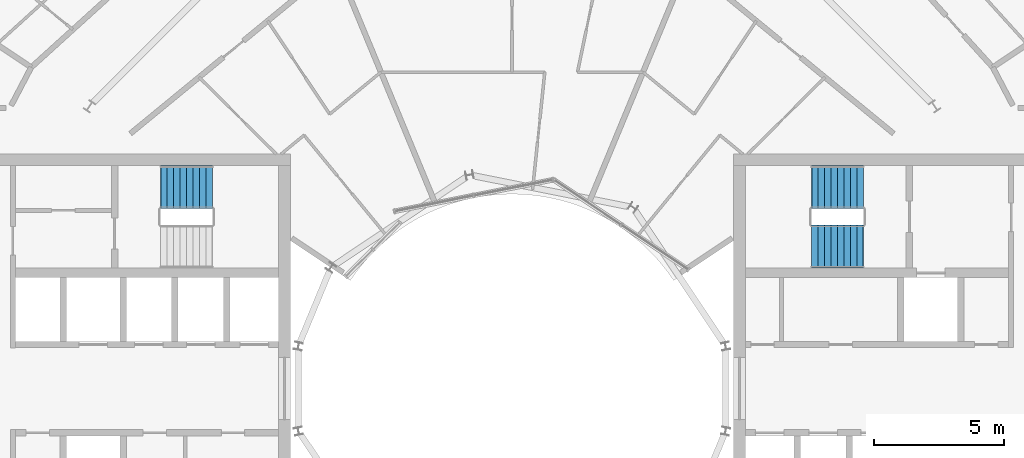
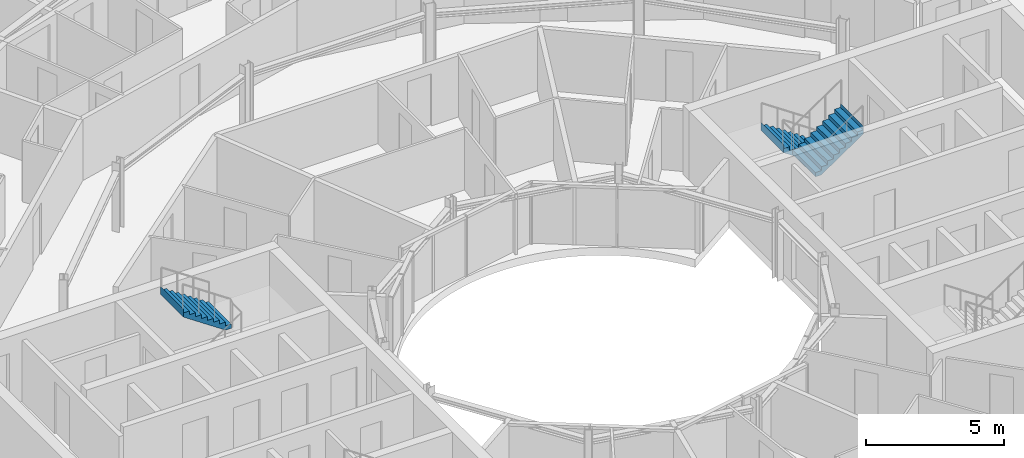
# One storey, part 27 of 29: 3 stair flights, 2 elements without a shape of their own.
"""IFC4 building model written with IfcOpenShell, lengths in metres."""

import ifcopenshell
import ifcopenshell.guid

model = None  # the IFC model being written
_history = None  # IfcOwnerHistory: only IFC2X3 demands one
_inside = {}  # id of a spatial element -> (the spatial element, [elements in it])
_under = {}  # id of a project, library or spatial element -> (it, [spatial elements below it])
_declared = {}  # id of a project -> (the project, [libraries it declares])
_typed = {}  # id of a type object -> (the type object, [elements of that type])
_made_of = {}  # id of a material, layer set ... -> (it, [elements and type objects made of it])


def new_model(schema):
    """Start an empty IFC model of exactly this schema.

    Asked for "IFC4X3", IfcOpenShell would pick the latest addendum, in which some entities
    have other attributes; the version numbers below select the first issue.
    IFC2X3 requires an IfcOwnerHistory on every rooted entity: one is made here for all.
    """
    global model, _history
    if schema == "IFC4X3":
        model = ifcopenshell.file(schema_version=(4, 3, 0, 0))
    else:
        model = ifcopenshell.file(schema=schema)
    _inside.clear()
    _under.clear()
    _declared.clear()
    _typed.clear()
    _made_of.clear()
    _history = None
    if model.schema == "IFC2X3":
        org = make("IfcOrganization", Name="unknown")
        user = make(
            "IfcPersonAndOrganization",
            ThePerson=make("IfcPerson", FamilyName="unknown"),
            TheOrganization=org,
        )
        app = make(
            "IfcApplication",
            ApplicationDeveloper=org,
            Version="unknown",
            ApplicationFullName="unknown",
            ApplicationIdentifier="unknown",
        )
        _history = make(
            "IfcOwnerHistory",
            OwningUser=user,
            OwningApplication=app,
            ChangeAction="ADDED",
            CreationDate=0,
        )
    return model


def make(cls, **values):
    """One entity of the class cls with the attributes given. An attribute that is None is left unset."""
    return model.create_entity(
        cls, **{name: value for name, value in values.items() if value is not None}
    )


def rooted(cls, **values):
    """An entity with a GlobalId (a new one), such as an element, a storey or a relation."""
    return make(cls, GlobalId=ifcopenshell.guid.new(), OwnerHistory=_history, **values)


def si_unit(unit_type, name, prefix=None):
    """IfcSIUnit, for example si_unit("LENGTHUNIT", "METRE", prefix="MILLI")."""
    return make("IfcSIUnit", UnitType=unit_type, Prefix=prefix, Name=name)


def assignment(units):
    """IfcUnitAssignment: the units of a project."""
    return None if units is None else make("IfcUnitAssignment", Units=units)


def point(xyz):
    """IfcCartesianPoint."""
    return None if xyz is None else make("IfcCartesianPoint", Coordinates=xyz)


def direction(xyz):
    """IfcDirection."""
    return None if xyz is None else make("IfcDirection", DirectionRatios=xyz)


def frame(location, z_axis=None, x_axis=None):
    """IfcAxis2Placement3D, a coordinate frame: its origin and axes. An axis left out is left unset."""
    return make(
        "IfcAxis2Placement3D",
        Location=point(location),
        Axis=direction(z_axis),
        RefDirection=direction(x_axis),
    )


def origin():
    """The frame at (0, 0, 0) with its axes left unset."""
    return frame((0.0, 0.0, 0.0))


def place(relative_to, where):
    """IfcLocalPlacement: puts the frame where relative to a parent placement (None: the world)."""
    return make(
        "IfcLocalPlacement", PlacementRelTo=relative_to, RelativePlacement=where
    )


def context(
    kind, dimensions, precision=None, world=None, true_north=None, identifier=None
):
    """IfcGeometricRepresentationContext, for example the 3D "Model" context."""
    return make(
        "IfcGeometricRepresentationContext",
        ContextIdentifier=identifier,
        ContextType=kind,
        CoordinateSpaceDimension=dimensions,
        Precision=precision,
        WorldCoordinateSystem=world,
        TrueNorth=true_north,
    )


def subcontext(parent, identifier, kind, view, scale=None):
    """IfcGeometricRepresentationSubContext, for example "Body" below "Model"."""
    return make(
        "IfcGeometricRepresentationSubContext",
        ContextIdentifier=identifier,
        ContextType=kind,
        ParentContext=parent,
        TargetScale=scale,
        TargetView=view,
    )


def project(units=None, contexts=None):
    """IfcProject with its units and contexts."""
    return rooted(
        "IfcProject",
        Name="project",
        RepresentationContexts=contexts,
        UnitsInContext=assignment(units),
    )


def spatial(cls, under=None, at=None, **own):
    """A site, building, storey or space (cls), placed at a placement, below another one or the project."""
    s = rooted(cls, ObjectPlacement=at, **own)
    if under is not None:
        _under.setdefault(under.id(), (under, []))[1].append(s)
    return s


def point_list(points):
    """IfcCartesianPointList2D or 3D."""
    cls = (
        "IfcCartesianPointList2D" if len(points[0]) == 2 else "IfcCartesianPointList3D"
    )
    return make(cls, CoordList=points)


def triangles(points, corners, closed=None, point_numbers=None):
    """IfcTriangulatedFaceSet: each triangle names its three corners, points numbered from 1."""
    return make(
        "IfcTriangulatedFaceSet",
        Coordinates=point_list(points),
        Closed=closed,
        CoordIndex=corners,
        PnIndex=point_numbers,
    )


def shape(context_of_items, identifier, shape_type, items):
    """IfcShapeRepresentation: the items that make up one representation, for example the "Body"."""
    return make(
        "IfcShapeRepresentation",
        ContextOfItems=context_of_items,
        RepresentationIdentifier=identifier,
        RepresentationType=shape_type,
        Items=items,
    )


def material(Name=None, Category=None):
    """IfcMaterial."""
    return make("IfcMaterial", Name=Name, Category=Category)


def made_of(thing, what):
    """Note that an element or type object is made of a material, layer set ...; save() writes the relation."""
    if what is not None:
        _made_of.setdefault(what.id(), (what, []))[1].append(thing)
    return thing


def type_object(cls, material=None, **own):
    """A type object (cls), such as IfcWallType, which elements share."""
    return made_of(rooted(cls, **own), material)


def element(
    cls,
    number,
    at=None,
    inside=None,
    cuts=None,
    type_object=None,
    material=None,
    context=None,
    identifier="Body",
    shape_type=None,
    held_by="IfcProductDefinitionShape",
    body=None,
    shapes=None,
    **own,
):
    """One element of the class cls, such as IfcWall. Its Tag is "e" and its number.

    at: its placement. inside: the storey or other place that contains it. cuts: it is an
    opening in that element (IfcRelVoidsElement). A single representation is given by context,
    identifier, shape_type and body (its items); several are given by shapes. held_by: the class
    of the entity that holds the representations. save() writes the other relations.
    """
    e = rooted(cls, Tag="e%d" % number, ObjectPlacement=at, **own)
    if body is not None:
        shapes = [shape(context, identifier, shape_type, body)]
    if shapes is not None:
        e.Representation = make(held_by, Representations=shapes)
    if inside is not None:
        _inside.setdefault(inside.id(), (inside, []))[1].append(e)
    if cuts is not None:
        rooted(
            "IfcRelVoidsElement", RelatingBuildingElement=cuts, RelatedOpeningElement=e
        )
    if type_object is not None:
        _typed.setdefault(type_object.id(), (type_object, []))[1].append(e)
    return made_of(e, material)


def aggregate(whole, parts):
    """IfcRelAggregates: a whole, such as a stair, and the parts it consists of."""
    return rooted("IfcRelAggregates", RelatingObject=whole, RelatedObjects=parts)


def save(model, path):
    """Write the relations noted so far, then the file.

    IfcRelAggregates (storeys below a building ...), IfcRelContainedInSpatialStructure (elements
    in a storey), IfcRelDefinesByType, IfcRelAssociatesMaterial and IfcRelDeclares: one each for
    every whole, place, type object, material and project.
    """
    for whole, parts in _under.values():
        aggregate(whole, parts)
    for where, things in _inside.values():
        rooted(
            "IfcRelContainedInSpatialStructure",
            RelatedElements=things,
            RelatingStructure=where,
        )
    for kind, things in _typed.values():
        rooted("IfcRelDefinesByType", RelatedObjects=things, RelatingType=kind)
    for what, things in _made_of.values():
        rooted("IfcRelAssociatesMaterial", RelatedObjects=things, RelatingMaterial=what)
    for by, libraries in _declared.values():
        rooted("IfcRelDeclares", RelatingContext=by, RelatedDefinitions=libraries)
    model.write(path)


model = new_model("IFC4")

# Units and contexts
model_context = context("Model", 3, precision=1e-05, world=origin(), true_north=direction((0.0, 1.0)))
body_context = subcontext(model_context, "Body", "Model", "MODEL_VIEW")
ifc_project = project(units=[si_unit("LENGTHUNIT", "METRE"), si_unit("AREAUNIT", "SQUARE_METRE"), si_unit("VOLUMEUNIT", "CUBIC_METRE"), si_unit("PLANEANGLEUNIT", "RADIAN"), si_unit("MASSUNIT", "GRAM", prefix="KILO")], contexts=[model_context])

# Site, building, storey
site_placement = place(None, origin())
site = spatial("IfcSite", under=ifc_project, at=site_placement, CompositionType="ELEMENT")
building_placement = place(site_placement, origin())
building = spatial("IfcBuilding", under=site, at=building_placement, Name="Maasbend Ring Residences", CompositionType="ELEMENT")
storey_placement = place(building_placement, frame((0.0, 0.0, 215.75)))
storey = spatial("IfcBuildingStorey", under=building, at=storey_placement, Name="L62", CompositionType="ELEMENT", Elevation=215.75)

# Stair, stair flights
ifc_material_1 = material(Name="Concrete C40/50", Category="concrete")
stair_type = type_object("IfcStairType", Name="CORE STAIR 18 RISERS", PredefinedType="HALF_TURN_STAIR", material=ifc_material_1)
stair_1_placement = place(storey_placement, origin())
stair_1 = element("IfcStair", 1, at=stair_1_placement, inside=storey, type_object=stair_type, Name="L62 Exit stair ST-E1", PredefinedType="HALF_TURN_STAIR")
ifc_material_2 = material(Name="Concrete C40/50", Category="concrete")
stair_flight_type = type_object("IfcStairFlightType", Name="CORE STAIR FLIGHT 1650", PredefinedType="STRAIGHT", material=ifc_material_2)
stair_flight_1_placement = place(storey_placement, frame((13.550048828125, 7.77490234375, 0.0), z_axis=(0.0, 0.0, 1.0), x_axis=(-1.0, 0.0, 0.0)))
stair_flight_1 = element("IfcStairFlight", 2, at=stair_flight_1_placement, type_object=stair_flight_type, Name="ST-E1 flight 1", NumberOfRisers=9, NumberOfTreads=8, PredefinedType="STRAIGHT", RiserHeight=0.169444444, TreadLength=0.25, context=body_context, shape_type="Tessellation", body=[
    triangles([(0.24072265625, 0.824951171875, -0.02001953125), (2.0029296875, 0.824951171875, 1.174560546875), (2.0029296875, 0.824951171875, 1.52490234375), (1.989990234375, 0.824951171875, 1.35546875), (1.75, 0.824951171875, 1.35546875), (1.75, 0.824951171875, 1.18603515625), (1.5, 0.824951171875, 1.18603515625), (1.5, 0.824951171875, 1.0166015625), (1.25, 0.824951171875, 1.0166015625), (1.25, 0.824951171875, 0.84716796875), (1.0, 0.824951171875, 0.84716796875), (1.0, 0.824951171875, 0.677734375), (0.75, 0.824951171875, 0.677734375), (0.75, 0.824951171875, 0.50830078125), (0.5, 0.824951171875, 0.50830078125), (0.5, 0.824951171875, 0.3388671875), (0.25, 0.824951171875, 0.3388671875), (0.25, 0.824951171875, 0.16943359375), (0.0, 0.824951171875, 0.16943359375), (0.0, 0.824951171875, 0.0), (-0.0029296875, 0.824951171875, 0.0), (-0.0029296875, 0.824951171875, -0.02001953125), (0.24072265625, 0.27490234375, -0.02001953125), (2.0029296875, 0.27490234375, 1.174560546875), (2.0029296875, 0.27490234375, 1.52490234375), (1.989990234375, 0.27490234375, 1.35546875), (1.75, 0.27490234375, 1.35546875), (1.75, 0.27490234375, 1.18603515625), (1.5, 0.27490234375, 1.18603515625), (1.5, 0.27490234375, 1.0166015625), (1.25, 0.27490234375, 1.0166015625), (1.25, 0.27490234375, 0.84716796875), (1.0, 0.27490234375, 0.84716796875), (1.0, 0.27490234375, 0.677734375), (0.75, 0.27490234375, 0.677734375), (0.75, 0.27490234375, 0.50830078125), (0.5, 0.27490234375, 0.50830078125), (0.5, 0.27490234375, 0.3388671875), (0.25, 0.27490234375, 0.3388671875), (0.25, 0.27490234375, 0.16943359375), (0.0, 0.27490234375, 0.16943359375), (0.0, 0.27490234375, 0.0), (-0.0029296875, 0.27490234375, 0.0), (-0.0029296875, 0.27490234375, -0.02001953125), (0.24072265625, -0.27490234375, -0.02001953125), (2.0029296875, -0.27490234375, 1.174560546875), (2.0029296875, -0.27490234375, 1.52490234375), (1.989990234375, -0.27490234375, 1.35546875), (1.75, -0.27490234375, 1.35546875), (1.75, -0.27490234375, 1.18603515625), (1.5, -0.27490234375, 1.18603515625), (1.5, -0.27490234375, 1.0166015625), (1.25, -0.27490234375, 1.0166015625), (1.25, -0.27490234375, 0.84716796875), (1.0, -0.27490234375, 0.84716796875), (1.0, -0.27490234375, 0.677734375), (0.75, -0.27490234375, 0.677734375), (0.75, -0.27490234375, 0.50830078125), (0.5, -0.27490234375, 0.50830078125), (0.5, -0.27490234375, 0.3388671875), (0.25, -0.27490234375, 0.3388671875), (0.25, -0.27490234375, 0.16943359375), (0.0, -0.27490234375, 0.16943359375), (0.0, -0.27490234375, 0.0), (-0.0029296875, -0.27490234375, 0.0), (-0.0029296875, -0.27490234375, -0.02001953125), (0.24072265625, -0.824951171875, -0.02001953125), (2.0029296875, -0.824951171875, 1.174560546875), (2.0029296875, -0.824951171875, 1.52490234375), (1.989990234375, -0.824951171875, 1.35546875), (1.75, -0.824951171875, 1.35546875), (1.75, -0.824951171875, 1.18603515625), (1.5, -0.824951171875, 1.18603515625), (1.5, -0.824951171875, 1.0166015625), (1.25, -0.824951171875, 1.0166015625), (1.25, -0.824951171875, 0.84716796875), (1.0, -0.824951171875, 0.84716796875), (1.0, -0.824951171875, 0.677734375), (0.75, -0.824951171875, 0.677734375), (0.75, -0.824951171875, 0.50830078125), (0.5, -0.824951171875, 0.50830078125), (0.5, -0.824951171875, 0.3388671875), (0.25, -0.824951171875, 0.3388671875), (0.25, -0.824951171875, 0.16943359375), (0.0, -0.824951171875, 0.16943359375), (0.0, -0.824951171875, 0.0), (-0.0029296875, -0.824951171875, 0.0), (-0.0029296875, -0.824951171875, -0.02001953125)], [[1, 2, 24], [1, 24, 23], [23, 24, 46], [23, 46, 45], [45, 46, 68], [45, 68, 67], [2, 3, 25], [2, 25, 24], [24, 25, 47], [24, 47, 46], [46, 47, 69], [46, 69, 68], [3, 4, 26], [3, 26, 25], [25, 26, 48], [25, 48, 47], [47, 48, 70], [47, 70, 69], [4, 5, 27], [4, 27, 26], [26, 27, 49], [26, 49, 48], [48, 49, 71], [48, 71, 70], [5, 6, 28], [5, 28, 27], [27, 28, 50], [27, 50, 49], [49, 50, 72], [49, 72, 71], [6, 7, 29], [6, 29, 28], [28, 29, 51], [28, 51, 50], [50, 51, 73], [50, 73, 72], [7, 8, 30], [7, 30, 29], [29, 30, 52], [29, 52, 51], [51, 52, 74], [51, 74, 73], [8, 9, 31], [8, 31, 30], [30, 31, 53], [30, 53, 52], [52, 53, 75], [52, 75, 74], [9, 10, 32], [9, 32, 31], [31, 32, 54], [31, 54, 53], [53, 54, 76], [53, 76, 75], [10, 11, 33], [10, 33, 32], [32, 33, 55], [32, 55, 54], [54, 55, 77], [54, 77, 76], [11, 12, 34], [11, 34, 33], [33, 34, 56], [33, 56, 55], [55, 56, 78], [55, 78, 77], [12, 13, 35], [12, 35, 34], [34, 35, 57], [34, 57, 56], [56, 57, 79], [56, 79, 78], [13, 14, 36], [13, 36, 35], [35, 36, 58], [35, 58, 57], [57, 58, 80], [57, 80, 79], [14, 15, 37], [14, 37, 36], [36, 37, 59], [36, 59, 58], [58, 59, 81], [58, 81, 80], [15, 16, 38], [15, 38, 37], [37, 38, 60], [37, 60, 59], [59, 60, 82], [59, 82, 81], [16, 17, 39], [16, 39, 38], [38, 39, 61], [38, 61, 60], [60, 61, 83], [60, 83, 82], [17, 18, 40], [17, 40, 39], [39, 40, 62], [39, 62, 61], [61, 62, 84], [61, 84, 83], [18, 19, 41], [18, 41, 40], [40, 41, 63], [40, 63, 62], [62, 63, 85], [62, 85, 84], [19, 20, 42], [19, 42, 41], [41, 42, 64], [41, 64, 63], [63, 64, 86], [63, 86, 85], [20, 21, 43], [20, 43, 42], [42, 43, 65], [42, 65, 64], [64, 65, 87], [64, 87, 86], [21, 22, 44], [21, 44, 43], [43, 44, 66], [43, 66, 65], [65, 66, 88], [65, 88, 87], [22, 1, 23], [22, 23, 44], [44, 23, 45], [44, 45, 66], [66, 45, 67], [66, 67, 88], [22, 2, 1], [2, 4, 3], [2, 5, 4], [2, 6, 5], [22, 6, 2], [6, 8, 7], [22, 8, 6], [8, 10, 9], [22, 10, 8], [10, 12, 11], [22, 12, 10], [12, 14, 13], [22, 14, 12], [14, 16, 15], [22, 16, 14], [16, 18, 17], [22, 18, 16], [18, 20, 19], [22, 20, 18], [20, 22, 21], [88, 67, 68], [68, 69, 70], [68, 70, 71], [68, 71, 72], [88, 68, 72], [72, 73, 74], [88, 72, 74], [74, 75, 76], [88, 74, 76], [76, 77, 78], [88, 76, 78], [78, 79, 80], [88, 78, 80], [80, 81, 82], [88, 80, 82], [82, 83, 84], [88, 82, 84], [84, 85, 86], [88, 84, 86], [86, 87, 88]], closed=True),
])
stair_flight_2_placement = place(storey_placement, frame((11.550048828125, 5.47509765625, 1.52490234375), z_axis=(0.0, 0.0, 1.0), x_axis=(1.0, 0.0, 0.0)))
stair_flight_2 = element("IfcStairFlight", 3, at=stair_flight_2_placement, type_object=stair_flight_type, Name="ST-E1 flight 2", NumberOfRisers=9, NumberOfTreads=8, PredefinedType="STRAIGHT", RiserHeight=0.169444444, TreadLength=0.25, context=body_context, shape_type="Tessellation", body=[
    triangles([(0.24072265625, 0.824951171875, -0.02001953125), (2.0029296875, 0.824951171875, 1.174560546875), (2.0029296875, 0.824951171875, 1.52490234375), (1.989990234375, 0.824951171875, 1.35546875), (1.75, 0.824951171875, 1.35546875), (1.75, 0.824951171875, 1.18603515625), (1.5, 0.824951171875, 1.18603515625), (1.5, 0.824951171875, 1.0166015625), (1.25, 0.824951171875, 1.0166015625), (1.25, 0.824951171875, 0.84716796875), (1.0, 0.824951171875, 0.84716796875), (1.0, 0.824951171875, 0.677734375), (0.75, 0.824951171875, 0.677734375), (0.75, 0.824951171875, 0.50830078125), (0.5, 0.824951171875, 0.50830078125), (0.5, 0.824951171875, 0.3388671875), (0.25, 0.824951171875, 0.3388671875), (0.25, 0.824951171875, 0.16943359375), (0.0, 0.824951171875, 0.16943359375), (0.0, 0.824951171875, 0.0), (-0.0029296875, 0.824951171875, 0.0), (-0.0029296875, 0.824951171875, -0.02001953125), (0.24072265625, 0.27490234375, -0.02001953125), (2.0029296875, 0.27490234375, 1.174560546875), (2.0029296875, 0.27490234375, 1.52490234375), (1.989990234375, 0.27490234375, 1.35546875), (1.75, 0.27490234375, 1.35546875), (1.75, 0.27490234375, 1.18603515625), (1.5, 0.27490234375, 1.18603515625), (1.5, 0.27490234375, 1.0166015625), (1.25, 0.27490234375, 1.0166015625), (1.25, 0.27490234375, 0.84716796875), (1.0, 0.27490234375, 0.84716796875), (1.0, 0.27490234375, 0.677734375), (0.75, 0.27490234375, 0.677734375), (0.75, 0.27490234375, 0.50830078125), (0.5, 0.27490234375, 0.50830078125), (0.5, 0.27490234375, 0.3388671875), (0.25, 0.27490234375, 0.3388671875), (0.25, 0.27490234375, 0.16943359375), (0.0, 0.27490234375, 0.16943359375), (0.0, 0.27490234375, 0.0), (-0.0029296875, 0.27490234375, 0.0), (-0.0029296875, 0.27490234375, -0.02001953125), (0.24072265625, -0.27490234375, -0.02001953125), (2.0029296875, -0.27490234375, 1.174560546875), (2.0029296875, -0.27490234375, 1.52490234375), (1.989990234375, -0.27490234375, 1.35546875), (1.75, -0.27490234375, 1.35546875), (1.75, -0.27490234375, 1.18603515625), (1.5, -0.27490234375, 1.18603515625), (1.5, -0.27490234375, 1.0166015625), (1.25, -0.27490234375, 1.0166015625), (1.25, -0.27490234375, 0.84716796875), (1.0, -0.27490234375, 0.84716796875), (1.0, -0.27490234375, 0.677734375), (0.75, -0.27490234375, 0.677734375), (0.75, -0.27490234375, 0.50830078125), (0.5, -0.27490234375, 0.50830078125), (0.5, -0.27490234375, 0.3388671875), (0.25, -0.27490234375, 0.3388671875), (0.25, -0.27490234375, 0.16943359375), (0.0, -0.27490234375, 0.16943359375), (0.0, -0.27490234375, 0.0), (-0.0029296875, -0.27490234375, 0.0), (-0.0029296875, -0.27490234375, -0.02001953125), (0.24072265625, -0.824951171875, -0.02001953125), (2.0029296875, -0.824951171875, 1.174560546875), (2.0029296875, -0.824951171875, 1.52490234375), (1.989990234375, -0.824951171875, 1.35546875), (1.75, -0.824951171875, 1.35546875), (1.75, -0.824951171875, 1.18603515625), (1.5, -0.824951171875, 1.18603515625), (1.5, -0.824951171875, 1.0166015625), (1.25, -0.824951171875, 1.0166015625), (1.25, -0.824951171875, 0.84716796875), (1.0, -0.824951171875, 0.84716796875), (1.0, -0.824951171875, 0.677734375), (0.75, -0.824951171875, 0.677734375), (0.75, -0.824951171875, 0.50830078125), (0.5, -0.824951171875, 0.50830078125), (0.5, -0.824951171875, 0.3388671875), (0.25, -0.824951171875, 0.3388671875), (0.25, -0.824951171875, 0.16943359375), (0.0, -0.824951171875, 0.16943359375), (0.0, -0.824951171875, 0.0), (-0.0029296875, -0.824951171875, 0.0), (-0.0029296875, -0.824951171875, -0.02001953125)], [[1, 2, 24], [1, 24, 23], [23, 24, 46], [23, 46, 45], [45, 46, 68], [45, 68, 67], [2, 3, 25], [2, 25, 24], [24, 25, 47], [24, 47, 46], [46, 47, 69], [46, 69, 68], [3, 4, 26], [3, 26, 25], [25, 26, 48], [25, 48, 47], [47, 48, 70], [47, 70, 69], [4, 5, 27], [4, 27, 26], [26, 27, 49], [26, 49, 48], [48, 49, 71], [48, 71, 70], [5, 6, 28], [5, 28, 27], [27, 28, 50], [27, 50, 49], [49, 50, 72], [49, 72, 71], [6, 7, 29], [6, 29, 28], [28, 29, 51], [28, 51, 50], [50, 51, 73], [50, 73, 72], [7, 8, 30], [7, 30, 29], [29, 30, 52], [29, 52, 51], [51, 52, 74], [51, 74, 73], [8, 9, 31], [8, 31, 30], [30, 31, 53], [30, 53, 52], [52, 53, 75], [52, 75, 74], [9, 10, 32], [9, 32, 31], [31, 32, 54], [31, 54, 53], [53, 54, 76], [53, 76, 75], [10, 11, 33], [10, 33, 32], [32, 33, 55], [32, 55, 54], [54, 55, 77], [54, 77, 76], [11, 12, 34], [11, 34, 33], [33, 34, 56], [33, 56, 55], [55, 56, 78], [55, 78, 77], [12, 13, 35], [12, 35, 34], [34, 35, 57], [34, 57, 56], [56, 57, 79], [56, 79, 78], [13, 14, 36], [13, 36, 35], [35, 36, 58], [35, 58, 57], [57, 58, 80], [57, 80, 79], [14, 15, 37], [14, 37, 36], [36, 37, 59], [36, 59, 58], [58, 59, 81], [58, 81, 80], [15, 16, 38], [15, 38, 37], [37, 38, 60], [37, 60, 59], [59, 60, 82], [59, 82, 81], [16, 17, 39], [16, 39, 38], [38, 39, 61], [38, 61, 60], [60, 61, 83], [60, 83, 82], [17, 18, 40], [17, 40, 39], [39, 40, 62], [39, 62, 61], [61, 62, 84], [61, 84, 83], [18, 19, 41], [18, 41, 40], [40, 41, 63], [40, 63, 62], [62, 63, 85], [62, 85, 84], [19, 20, 42], [19, 42, 41], [41, 42, 64], [41, 64, 63], [63, 64, 86], [63, 86, 85], [20, 21, 43], [20, 43, 42], [42, 43, 65], [42, 65, 64], [64, 65, 87], [64, 87, 86], [21, 22, 44], [21, 44, 43], [43, 44, 66], [43, 66, 65], [65, 66, 88], [65, 88, 87], [22, 1, 23], [22, 23, 44], [44, 23, 45], [44, 45, 66], [66, 45, 67], [66, 67, 88], [22, 2, 1], [2, 4, 3], [2, 5, 4], [2, 6, 5], [22, 6, 2], [6, 8, 7], [22, 8, 6], [8, 10, 9], [22, 10, 8], [10, 12, 11], [22, 12, 10], [12, 14, 13], [22, 14, 12], [14, 16, 15], [22, 16, 14], [16, 18, 17], [22, 18, 16], [18, 20, 19], [22, 20, 18], [20, 22, 21], [88, 67, 68], [68, 69, 70], [68, 70, 71], [68, 71, 72], [88, 68, 72], [72, 73, 74], [88, 72, 74], [74, 75, 76], [88, 74, 76], [76, 77, 78], [88, 76, 78], [78, 79, 80], [88, 78, 80], [80, 81, 82], [88, 80, 82], [82, 83, 84], [88, 82, 84], [84, 85, 86], [88, 84, 86], [86, 87, 88]], closed=True),
])
aggregate(stair_1, [stair_flight_1, stair_flight_2])

# Stair, stair flight
stair_2_placement = place(storey_placement, origin())
stair_2 = element("IfcStair", 4, at=stair_2_placement, inside=storey, type_object=stair_type, Name="L62 Exit stair ST-W2", PredefinedType="HALF_TURN_STAIR")
stair_flight_3_placement = place(storey_placement, frame((-11.550048828125, 7.77490234375, 1.52490234375), z_axis=(0.0, 0.0, 1.0), x_axis=(-1.0, 0.0, 0.0)))
stair_flight_3 = element("IfcStairFlight", 5, at=stair_flight_3_placement, type_object=stair_flight_type, Name="ST-W2 flight 2", NumberOfRisers=9, NumberOfTreads=8, PredefinedType="STRAIGHT", RiserHeight=0.169444444, TreadLength=0.25, context=body_context, shape_type="Tessellation", body=[
    triangles([(0.24072265625, 0.824951171875, -0.02001953125), (2.0029296875, 0.824951171875, 1.174560546875), (2.0029296875, 0.824951171875, 1.52490234375), (1.989990234375, 0.824951171875, 1.35546875), (1.75, 0.824951171875, 1.35546875), (1.75, 0.824951171875, 1.18603515625), (1.5, 0.824951171875, 1.18603515625), (1.5, 0.824951171875, 1.0166015625), (1.25, 0.824951171875, 1.0166015625), (1.25, 0.824951171875, 0.84716796875), (1.0, 0.824951171875, 0.84716796875), (1.0, 0.824951171875, 0.677734375), (0.75, 0.824951171875, 0.677734375), (0.75, 0.824951171875, 0.50830078125), (0.5, 0.824951171875, 0.50830078125), (0.5, 0.824951171875, 0.3388671875), (0.25, 0.824951171875, 0.3388671875), (0.25, 0.824951171875, 0.16943359375), (0.0, 0.824951171875, 0.16943359375), (0.0, 0.824951171875, 0.0), (-0.0029296875, 0.824951171875, 0.0), (-0.0029296875, 0.824951171875, -0.02001953125), (0.24072265625, 0.27490234375, -0.02001953125), (2.0029296875, 0.27490234375, 1.174560546875), (2.0029296875, 0.27490234375, 1.52490234375), (1.989990234375, 0.27490234375, 1.35546875), (1.75, 0.27490234375, 1.35546875), (1.75, 0.27490234375, 1.18603515625), (1.5, 0.27490234375, 1.18603515625), (1.5, 0.27490234375, 1.0166015625), (1.25, 0.27490234375, 1.0166015625), (1.25, 0.27490234375, 0.84716796875), (1.0, 0.27490234375, 0.84716796875), (1.0, 0.27490234375, 0.677734375), (0.75, 0.27490234375, 0.677734375), (0.75, 0.27490234375, 0.50830078125), (0.5, 0.27490234375, 0.50830078125), (0.5, 0.27490234375, 0.3388671875), (0.25, 0.27490234375, 0.3388671875), (0.25, 0.27490234375, 0.16943359375), (0.0, 0.27490234375, 0.16943359375), (0.0, 0.27490234375, 0.0), (-0.0029296875, 0.27490234375, 0.0), (-0.0029296875, 0.27490234375, -0.02001953125), (0.24072265625, -0.27490234375, -0.02001953125), (2.0029296875, -0.27490234375, 1.174560546875), (2.0029296875, -0.27490234375, 1.52490234375), (1.989990234375, -0.27490234375, 1.35546875), (1.75, -0.27490234375, 1.35546875), (1.75, -0.27490234375, 1.18603515625), (1.5, -0.27490234375, 1.18603515625), (1.5, -0.27490234375, 1.0166015625), (1.25, -0.27490234375, 1.0166015625), (1.25, -0.27490234375, 0.84716796875), (1.0, -0.27490234375, 0.84716796875), (1.0, -0.27490234375, 0.677734375), (0.75, -0.27490234375, 0.677734375), (0.75, -0.27490234375, 0.50830078125), (0.5, -0.27490234375, 0.50830078125), (0.5, -0.27490234375, 0.3388671875), (0.25, -0.27490234375, 0.3388671875), (0.25, -0.27490234375, 0.16943359375), (0.0, -0.27490234375, 0.16943359375), (0.0, -0.27490234375, 0.0), (-0.0029296875, -0.27490234375, 0.0), (-0.0029296875, -0.27490234375, -0.02001953125), (0.24072265625, -0.824951171875, -0.02001953125), (2.0029296875, -0.824951171875, 1.174560546875), (2.0029296875, -0.824951171875, 1.52490234375), (1.989990234375, -0.824951171875, 1.35546875), (1.75, -0.824951171875, 1.35546875), (1.75, -0.824951171875, 1.18603515625), (1.5, -0.824951171875, 1.18603515625), (1.5, -0.824951171875, 1.0166015625), (1.25, -0.824951171875, 1.0166015625), (1.25, -0.824951171875, 0.84716796875), (1.0, -0.824951171875, 0.84716796875), (1.0, -0.824951171875, 0.677734375), (0.75, -0.824951171875, 0.677734375), (0.75, -0.824951171875, 0.50830078125), (0.5, -0.824951171875, 0.50830078125), (0.5, -0.824951171875, 0.3388671875), (0.25, -0.824951171875, 0.3388671875), (0.25, -0.824951171875, 0.16943359375), (0.0, -0.824951171875, 0.16943359375), (0.0, -0.824951171875, 0.0), (-0.0029296875, -0.824951171875, 0.0), (-0.0029296875, -0.824951171875, -0.02001953125)], [[1, 2, 24], [1, 24, 23], [23, 24, 46], [23, 46, 45], [45, 46, 68], [45, 68, 67], [2, 3, 25], [2, 25, 24], [24, 25, 47], [24, 47, 46], [46, 47, 69], [46, 69, 68], [3, 4, 26], [3, 26, 25], [25, 26, 48], [25, 48, 47], [47, 48, 70], [47, 70, 69], [4, 5, 27], [4, 27, 26], [26, 27, 49], [26, 49, 48], [48, 49, 71], [48, 71, 70], [5, 6, 28], [5, 28, 27], [27, 28, 50], [27, 50, 49], [49, 50, 72], [49, 72, 71], [6, 7, 29], [6, 29, 28], [28, 29, 51], [28, 51, 50], [50, 51, 73], [50, 73, 72], [7, 8, 30], [7, 30, 29], [29, 30, 52], [29, 52, 51], [51, 52, 74], [51, 74, 73], [8, 9, 31], [8, 31, 30], [30, 31, 53], [30, 53, 52], [52, 53, 75], [52, 75, 74], [9, 10, 32], [9, 32, 31], [31, 32, 54], [31, 54, 53], [53, 54, 76], [53, 76, 75], [10, 11, 33], [10, 33, 32], [32, 33, 55], [32, 55, 54], [54, 55, 77], [54, 77, 76], [11, 12, 34], [11, 34, 33], [33, 34, 56], [33, 56, 55], [55, 56, 78], [55, 78, 77], [12, 13, 35], [12, 35, 34], [34, 35, 57], [34, 57, 56], [56, 57, 79], [56, 79, 78], [13, 14, 36], [13, 36, 35], [35, 36, 58], [35, 58, 57], [57, 58, 80], [57, 80, 79], [14, 15, 37], [14, 37, 36], [36, 37, 59], [36, 59, 58], [58, 59, 81], [58, 81, 80], [15, 16, 38], [15, 38, 37], [37, 38, 60], [37, 60, 59], [59, 60, 82], [59, 82, 81], [16, 17, 39], [16, 39, 38], [38, 39, 61], [38, 61, 60], [60, 61, 83], [60, 83, 82], [17, 18, 40], [17, 40, 39], [39, 40, 62], [39, 62, 61], [61, 62, 84], [61, 84, 83], [18, 19, 41], [18, 41, 40], [40, 41, 63], [40, 63, 62], [62, 63, 85], [62, 85, 84], [19, 20, 42], [19, 42, 41], [41, 42, 64], [41, 64, 63], [63, 64, 86], [63, 86, 85], [20, 21, 43], [20, 43, 42], [42, 43, 65], [42, 65, 64], [64, 65, 87], [64, 87, 86], [21, 22, 44], [21, 44, 43], [43, 44, 66], [43, 66, 65], [65, 66, 88], [65, 88, 87], [22, 1, 23], [22, 23, 44], [44, 23, 45], [44, 45, 66], [66, 45, 67], [66, 67, 88], [22, 2, 1], [2, 4, 3], [2, 5, 4], [2, 6, 5], [22, 6, 2], [6, 8, 7], [22, 8, 6], [8, 10, 9], [22, 10, 8], [10, 12, 11], [22, 12, 10], [12, 14, 13], [22, 14, 12], [14, 16, 15], [22, 16, 14], [16, 18, 17], [22, 18, 16], [18, 20, 19], [22, 20, 18], [20, 22, 21], [88, 67, 68], [68, 69, 70], [68, 70, 71], [68, 71, 72], [88, 68, 72], [72, 73, 74], [88, 72, 74], [74, 75, 76], [88, 74, 76], [76, 77, 78], [88, 76, 78], [78, 79, 80], [88, 78, 80], [80, 81, 82], [88, 80, 82], [82, 83, 84], [88, 82, 84], [84, 85, 86], [88, 84, 86], [86, 87, 88]], closed=True),
])
aggregate(stair_2, [stair_flight_3])

save(model, "model.ifc")
